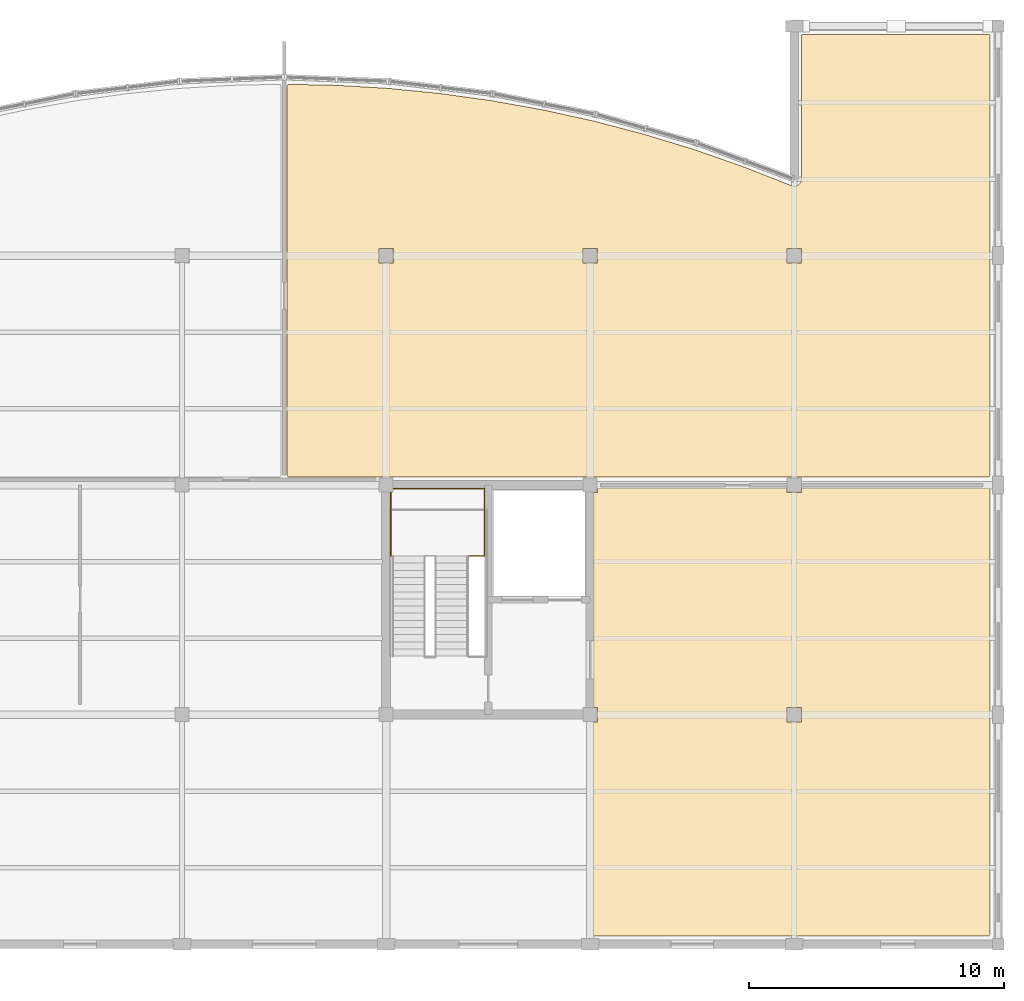
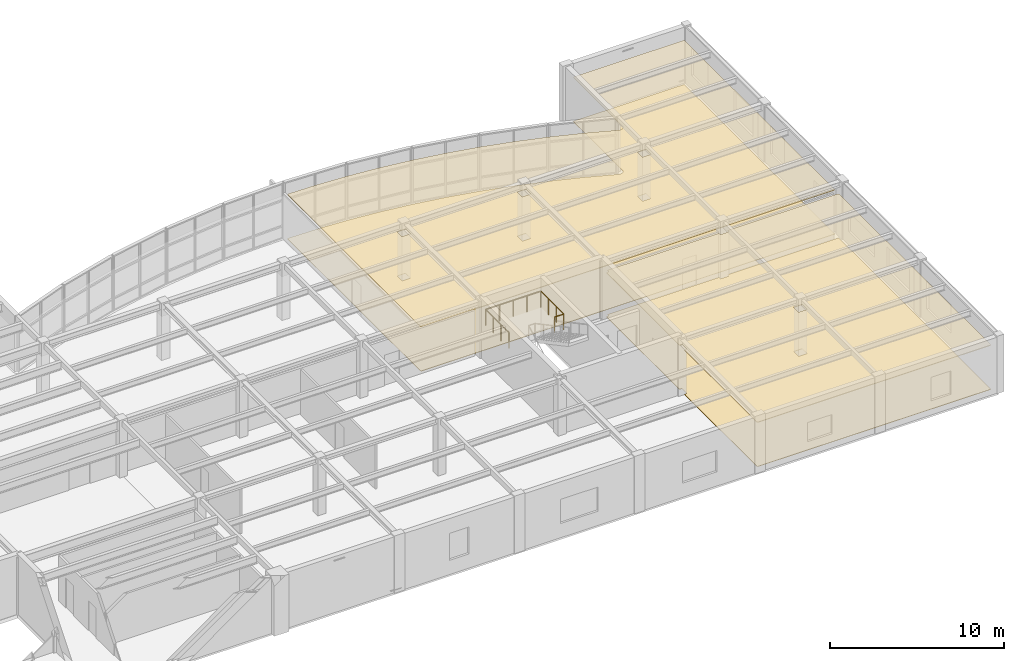
# One storey, part 12 of 12: 4 coverings, 1 railing.
"""IFC4 building model written with IfcOpenShell, lengths in metres."""

from ifc_helpers import new_model, si_unit, direction, frame, origin, origin_2d, place, context, subcontext, project, spatial, polyline, circle, outline, extrude, material, layer, layer_set, type_object, element, save


model = new_model("IFC4")

# Units and contexts
model_context = context("Model", 3, precision=1e-05, world=origin(), true_north=direction((0.0, 1.0)))
body_context = subcontext(model_context, "Body", "Model", "MODEL_VIEW")
ifc_project = project(units=[si_unit("LENGTHUNIT", "METRE"), si_unit("AREAUNIT", "SQUARE_METRE"), si_unit("VOLUMEUNIT", "CUBIC_METRE"), si_unit("PLANEANGLEUNIT", "RADIAN"), si_unit("MASSUNIT", "GRAM", prefix="KILO")], contexts=[model_context])

# Site, building, storey
site_placement = place(None, origin())
site = spatial("IfcSite", under=ifc_project, at=site_placement, CompositionType="ELEMENT")
building_placement = place(site_placement, origin())
building = spatial("IfcBuilding", under=site, at=building_placement, Name="Keelwater Ferry Terminal", CompositionType="ELEMENT")
storey_placement = place(building_placement, frame((0.0, 0.0, 19.5)))
storey = spatial("IfcBuildingStorey", under=building, at=storey_placement, Name="L04", CompositionType="ELEMENT", Elevation=19.5)

# Coverings
ifc_material_1 = material(Name="Perforated acoustic gypsum board ceiling", Category="gypsum")
ifc_layer_1 = layer(ifc_material_1, 0.044921875)
ifc_layer_set_1 = layer_set([ifc_layer_1], Name="Perforated acoustic gypsum board ceiling")
covering_type_1 = type_object("IfcCoveringType", Name="CL-AC Acoustic Baffle Ceiling", PredefinedType="CEILING", material=ifc_layer_set_1)
covering_1_placement = place(storey_placement, frame((0.0, 0.0, 3.10009765625)))
element("IfcCovering", 1, at=covering_1_placement, inside=storey, type_object=covering_type_1, Name="Port Security Control Suite Acoustic Ceiling", PredefinedType="CEILING", context=body_context, shape_type="SweptSolid", body=[
    extrude(outline(polyline([(156.0791015625, 123.55908203125), (156.08203125, 123.55908203125), (158.10888671875, 123.35791015625), (158.112060546875, 123.35693359375), (160.132080078125, 123.075927734375), (160.135009765625, 123.075927734375), (162.10888671875, 122.720947265625), (162.14208984375, 122.716064453125), (162.14404296875, 122.715087890625), (162.263916015625, 122.68896484375), (164.136962890625, 122.27587890625), (166.112060546875, 121.758056640625), (168.06494140625, 121.162109375), (168.804931640625, 120.904052734375), (169.990966796875, 120.489990234375), (169.993896484375, 120.488037109375), (171.89208984375, 119.741943359375), (171.89208984375, 119.740966796875), (171.89697265625, 119.739013671875), (171.923095703125, 119.73095703125), (171.949951171875, 119.72509765625), (171.97705078125, 119.720947265625), (172.00390625, 119.719970703125), (172.031005859375, 119.721923828125), (172.05810546875, 119.72607421875), (172.083984375, 119.73291015625), (172.110107421875, 119.741943359375), (172.134033203125, 119.75390625), (172.156005859375, 119.76806640625), (172.157958984375, 119.76904296875), (172.158935546875, 119.77001953125), (172.178955078125, 119.784912109375), (172.198974609375, 119.802978515625), (172.218017578125, 119.823974609375), (172.23388671875, 119.845947265625), (172.248046875, 119.868896484375), (172.259033203125, 119.89404296875), (172.26806640625, 119.9189453125), (172.27490234375, 119.946044921875), (172.279052734375, 119.972900390625), (172.280029296875, 120.0), (172.280029296875, 125.60009765625), (172.280029296875, 125.60009765625), (172.280029296875, 125.60791015625), (172.281982421875, 125.615966796875), (172.282958984375, 125.623046875), (172.285888671875, 125.631103515625), (172.2890625, 125.637939453125), (172.29296875, 125.64404296875), (172.298095703125, 125.65087890625), (172.302978515625, 125.656982421875), (172.30908203125, 125.662109375), (172.31591796875, 125.6669921875), (172.322021484375, 125.6708984375), (172.3291015625, 125.674072265625), (172.3369140625, 125.677001953125), (172.343994140625, 125.677978515625), (172.35205078125, 125.679931640625), (172.360107421875, 125.679931640625), (179.60009765625, 125.679931640625), (179.60791015625, 125.679931640625), (179.615966796875, 125.677978515625), (179.623046875, 125.677001953125), (179.631103515625, 125.674072265625), (179.637939453125, 125.6708984375), (179.64404296875, 125.6669921875), (179.65087890625, 125.662109375), (179.656982421875, 125.656982421875), (179.662109375, 125.65087890625), (179.6669921875, 125.64404296875), (179.6708984375, 125.637939453125), (179.674072265625, 125.631103515625), (179.677001953125, 125.623046875), (179.677978515625, 125.615966796875), (179.679931640625, 125.60791015625), (179.679931640625, 125.60009765625), (179.679931640625, 108.39990234375), (179.679931640625, 108.39208984375), (179.677978515625, 108.384033203125), (179.677001953125, 108.376953125), (179.674072265625, 108.368896484375), (179.6708984375, 108.362060546875), (179.6669921875, 108.35595703125), (179.662109375, 108.34912109375), (179.656982421875, 108.343017578125), (179.65087890625, 108.337890625), (179.64404296875, 108.3330078125), (179.637939453125, 108.3291015625), (179.631103515625, 108.325927734375), (179.623046875, 108.322998046875), (179.615966796875, 108.322021484375), (179.60791015625, 108.320068359375), (179.60009765625, 108.320068359375), (152.199951171875, 108.320068359375), (152.19189453125, 108.320068359375), (152.18408203125, 108.322021484375), (152.177001953125, 108.322998046875), (152.1689453125, 108.325927734375), (152.162109375, 108.3291015625), (152.156005859375, 108.3330078125), (152.14892578125, 108.337890625), (152.14306640625, 108.343017578125), (152.137939453125, 108.34912109375), (152.133056640625, 108.35595703125), (152.12890625, 108.362060546875), (152.1259765625, 108.368896484375), (152.123046875, 108.376953125), (152.1220703125, 108.384033203125), (152.1201171875, 108.39208984375), (152.1201171875, 108.39990234375), (152.1201171875, 123.635986328125), (152.1201171875, 123.64404296875), (152.1220703125, 123.652099609375), (152.1240234375, 123.659912109375), (152.1259765625, 123.6669921875), (152.1298828125, 123.674072265625), (152.134033203125, 123.680908203125), (152.138916015625, 123.68701171875), (152.14404296875, 123.693115234375), (152.14990234375, 123.697998046875), (152.156005859375, 123.702880859375), (152.1630859375, 123.70703125), (152.1708984375, 123.7099609375), (152.177978515625, 123.712890625), (152.18603515625, 123.715087890625), (152.194091796875, 123.716064453125), (152.199951171875, 123.716064453125), (152.654052734375, 123.70703125), (154.0400390625, 123.678955078125), (154.04296875, 123.678955078125), (156.0791015625, 123.55908203125)]), holes=[polyline([(156.284912109375, 116.715087890625), (156.284912109375, 117.284912109375), (155.715087890625, 117.284912109375), (155.715087890625, 116.715087890625), (156.284912109375, 116.715087890625)]), polyline([(163.715087890625, 116.715087890625), (164.284912109375, 116.715087890625), (164.284912109375, 117.284912109375), (163.715087890625, 117.284912109375), (163.715087890625, 116.715087890625)]), polyline([(171.715087890625, 116.715087890625), (172.284912109375, 116.715087890625), (172.284912109375, 117.284912109375), (171.715087890625, 117.284912109375), (171.715087890625, 116.715087890625)])]), origin(), (0.0, 0.0, 1.0), 0.044921875),
])
covering_2_placement = place(storey_placement, frame((0.0, 0.0, 3.10009765625)))
element("IfcCovering", 2, at=covering_2_placement, inside=storey, type_object=covering_type_1, Name="Rotterdam Pilotage Coordination Office Acoustic Ceiling", PredefinedType="CEILING", context=body_context, shape_type="SweptSolid", body=[
    extrude(outline(polyline([(171.715087890625, 107.87890625), (171.715087890625, 107.715087890625), (172.284912109375, 107.715087890625), (172.284912109375, 107.87890625), (172.287109375, 107.8798828125), (172.294921875, 107.8798828125), (179.60009765625, 107.8798828125), (179.60791015625, 107.8798828125), (179.615966796875, 107.8779296875), (179.623046875, 107.876953125), (179.631103515625, 107.8740234375), (179.637939453125, 107.87109375), (179.64404296875, 107.866943359375), (179.65087890625, 107.862060546875), (179.656982421875, 107.85693359375), (179.662109375, 107.85107421875), (179.6669921875, 107.843994140625), (179.6708984375, 107.837890625), (179.674072265625, 107.8310546875), (179.677001953125, 107.822998046875), (179.677978515625, 107.81591796875), (179.679931640625, 107.80810546875), (179.679931640625, 107.800048828125), (179.679931640625, 90.39990234375), (179.679931640625, 90.39208984375), (179.677978515625, 90.384033203125), (179.677001953125, 90.376953125), (179.674072265625, 90.368896484375), (179.6708984375, 90.362060546875), (179.6669921875, 90.35595703125), (179.662109375, 90.34912109375), (179.656982421875, 90.343017578125), (179.65087890625, 90.337890625), (179.64404296875, 90.3330078125), (179.637939453125, 90.3291015625), (179.631103515625, 90.325927734375), (179.623046875, 90.322998046875), (179.615966796875, 90.322021484375), (179.60791015625, 90.320068359375), (179.60009765625, 90.320068359375), (164.199951171875, 90.320068359375), (164.19189453125, 90.320068359375), (164.18408203125, 90.322021484375), (164.177001953125, 90.322998046875), (164.1689453125, 90.325927734375), (164.162109375, 90.3291015625), (164.156005859375, 90.3330078125), (164.14892578125, 90.337890625), (164.14306640625, 90.343017578125), (164.137939453125, 90.34912109375), (164.133056640625, 90.35595703125), (164.12890625, 90.362060546875), (164.1259765625, 90.368896484375), (164.123046875, 90.376953125), (164.1220703125, 90.384033203125), (164.1201171875, 90.39208984375), (164.1201171875, 90.39990234375), (164.1201171875, 98.705078125), (164.1201171875, 98.712890625), (164.12109375, 98.715087890625), (164.284912109375, 98.715087890625), (164.284912109375, 99.284912109375), (164.12109375, 99.284912109375), (164.1201171875, 99.287109375), (164.1201171875, 99.294921875), (164.1201171875, 107.705078125), (164.1201171875, 107.712890625), (164.12109375, 107.715087890625), (164.284912109375, 107.715087890625), (164.284912109375, 107.87890625), (164.287109375, 107.8798828125), (164.294921875, 107.8798828125), (171.705078125, 107.8798828125), (171.712890625, 107.8798828125), (171.715087890625, 107.87890625)]), holes=[polyline([(172.284912109375, 98.715087890625), (172.284912109375, 99.284912109375), (171.715087890625, 99.284912109375), (171.715087890625, 98.715087890625), (172.284912109375, 98.715087890625)])]), origin(), (0.0, 0.0, 1.0), 0.044921875),
])
ifc_material_2 = material(Name="Polished mineral terrazzo tile", Category="stone")
ifc_layer_2 = layer(ifc_material_2, 0.030029296875)
ifc_layer_set_2 = layer_set([ifc_layer_2], Name="Polished mineral terrazzo tile")
covering_type_2 = type_object("IfcCoveringType", Name="FL-TZ Marine Terrazzo Flooring", PredefinedType="FLOORING", material=ifc_layer_set_2)
covering_3_placement = place(storey_placement, origin())
element("IfcCovering", 3, at=covering_3_placement, inside=storey, type_object=covering_type_2, Name="Port Security Control Suite Terrazzo Floor", PredefinedType="FLOORING", context=body_context, shape_type="SweptSolid", body=[
    extrude(outline(polyline([(156.0791015625, 123.55908203125), (156.08203125, 123.55908203125), (158.10888671875, 123.35791015625), (158.112060546875, 123.35693359375), (160.132080078125, 123.075927734375), (160.135009765625, 123.075927734375), (162.10888671875, 122.720947265625), (162.14208984375, 122.716064453125), (162.14404296875, 122.715087890625), (162.263916015625, 122.68896484375), (164.136962890625, 122.27587890625), (166.112060546875, 121.758056640625), (168.06494140625, 121.162109375), (168.804931640625, 120.904052734375), (169.990966796875, 120.489990234375), (169.993896484375, 120.488037109375), (171.89208984375, 119.741943359375), (171.89208984375, 119.740966796875), (171.89697265625, 119.739013671875), (171.923095703125, 119.73095703125), (171.949951171875, 119.72509765625), (171.97705078125, 119.720947265625), (172.00390625, 119.719970703125), (172.031005859375, 119.721923828125), (172.05810546875, 119.72607421875), (172.083984375, 119.73291015625), (172.110107421875, 119.741943359375), (172.134033203125, 119.75390625), (172.156005859375, 119.76806640625), (172.157958984375, 119.76904296875), (172.158935546875, 119.77001953125), (172.178955078125, 119.784912109375), (172.198974609375, 119.802978515625), (172.218017578125, 119.823974609375), (172.23388671875, 119.845947265625), (172.248046875, 119.868896484375), (172.259033203125, 119.89404296875), (172.26806640625, 119.9189453125), (172.27490234375, 119.946044921875), (172.279052734375, 119.972900390625), (172.280029296875, 120.0), (172.280029296875, 125.60009765625), (172.280029296875, 125.60009765625), (172.280029296875, 125.60791015625), (172.281982421875, 125.615966796875), (172.282958984375, 125.623046875), (172.285888671875, 125.631103515625), (172.2890625, 125.637939453125), (172.29296875, 125.64404296875), (172.298095703125, 125.65087890625), (172.302978515625, 125.656982421875), (172.30908203125, 125.662109375), (172.31591796875, 125.6669921875), (172.322021484375, 125.6708984375), (172.3291015625, 125.674072265625), (172.3369140625, 125.677001953125), (172.343994140625, 125.677978515625), (172.35205078125, 125.679931640625), (172.360107421875, 125.679931640625), (179.60009765625, 125.679931640625), (179.60791015625, 125.679931640625), (179.615966796875, 125.677978515625), (179.623046875, 125.677001953125), (179.631103515625, 125.674072265625), (179.637939453125, 125.6708984375), (179.64404296875, 125.6669921875), (179.65087890625, 125.662109375), (179.656982421875, 125.656982421875), (179.662109375, 125.65087890625), (179.6669921875, 125.64404296875), (179.6708984375, 125.637939453125), (179.674072265625, 125.631103515625), (179.677001953125, 125.623046875), (179.677978515625, 125.615966796875), (179.679931640625, 125.60791015625), (179.679931640625, 125.60009765625), (179.679931640625, 108.39990234375), (179.679931640625, 108.39208984375), (179.677978515625, 108.384033203125), (179.677001953125, 108.376953125), (179.674072265625, 108.368896484375), (179.6708984375, 108.362060546875), (179.6669921875, 108.35595703125), (179.662109375, 108.34912109375), (179.656982421875, 108.343017578125), (179.65087890625, 108.337890625), (179.64404296875, 108.3330078125), (179.637939453125, 108.3291015625), (179.631103515625, 108.325927734375), (179.623046875, 108.322998046875), (179.615966796875, 108.322021484375), (179.60791015625, 108.320068359375), (179.60009765625, 108.320068359375), (152.199951171875, 108.320068359375), (152.19189453125, 108.320068359375), (152.18408203125, 108.322021484375), (152.177001953125, 108.322998046875), (152.1689453125, 108.325927734375), (152.162109375, 108.3291015625), (152.156005859375, 108.3330078125), (152.14892578125, 108.337890625), (152.14306640625, 108.343017578125), (152.137939453125, 108.34912109375), (152.133056640625, 108.35595703125), (152.12890625, 108.362060546875), (152.1259765625, 108.368896484375), (152.123046875, 108.376953125), (152.1220703125, 108.384033203125), (152.1201171875, 108.39208984375), (152.1201171875, 108.39990234375), (152.1201171875, 123.635986328125), (152.1201171875, 123.64404296875), (152.1220703125, 123.652099609375), (152.1240234375, 123.659912109375), (152.1259765625, 123.6669921875), (152.1298828125, 123.674072265625), (152.134033203125, 123.680908203125), (152.138916015625, 123.68701171875), (152.14404296875, 123.693115234375), (152.14990234375, 123.697998046875), (152.156005859375, 123.702880859375), (152.1630859375, 123.70703125), (152.1708984375, 123.7099609375), (152.177978515625, 123.712890625), (152.18603515625, 123.715087890625), (152.194091796875, 123.716064453125), (152.199951171875, 123.716064453125), (152.654052734375, 123.70703125), (154.0400390625, 123.678955078125), (154.04296875, 123.678955078125), (156.0791015625, 123.55908203125)]), holes=[polyline([(156.284912109375, 116.715087890625), (156.284912109375, 117.284912109375), (155.715087890625, 117.284912109375), (155.715087890625, 116.715087890625), (156.284912109375, 116.715087890625)]), polyline([(163.715087890625, 116.715087890625), (164.284912109375, 116.715087890625), (164.284912109375, 117.284912109375), (163.715087890625, 117.284912109375), (163.715087890625, 116.715087890625)]), polyline([(171.715087890625, 116.715087890625), (172.284912109375, 116.715087890625), (172.284912109375, 117.284912109375), (171.715087890625, 117.284912109375), (171.715087890625, 116.715087890625)])]), origin(), (0.0, 0.0, 1.0), 0.030029296875),
])
covering_4_placement = place(storey_placement, origin())
element("IfcCovering", 4, at=covering_4_placement, inside=storey, type_object=covering_type_2, Name="Rotterdam Pilotage Coordination Office Terrazzo Floor", PredefinedType="FLOORING", context=body_context, shape_type="SweptSolid", body=[
    extrude(outline(polyline([(171.715087890625, 107.87890625), (171.715087890625, 107.715087890625), (172.284912109375, 107.715087890625), (172.284912109375, 107.87890625), (172.287109375, 107.8798828125), (172.294921875, 107.8798828125), (179.60009765625, 107.8798828125), (179.60791015625, 107.8798828125), (179.615966796875, 107.8779296875), (179.623046875, 107.876953125), (179.631103515625, 107.8740234375), (179.637939453125, 107.87109375), (179.64404296875, 107.866943359375), (179.65087890625, 107.862060546875), (179.656982421875, 107.85693359375), (179.662109375, 107.85107421875), (179.6669921875, 107.843994140625), (179.6708984375, 107.837890625), (179.674072265625, 107.8310546875), (179.677001953125, 107.822998046875), (179.677978515625, 107.81591796875), (179.679931640625, 107.80810546875), (179.679931640625, 107.800048828125), (179.679931640625, 90.39990234375), (179.679931640625, 90.39208984375), (179.677978515625, 90.384033203125), (179.677001953125, 90.376953125), (179.674072265625, 90.368896484375), (179.6708984375, 90.362060546875), (179.6669921875, 90.35595703125), (179.662109375, 90.34912109375), (179.656982421875, 90.343017578125), (179.65087890625, 90.337890625), (179.64404296875, 90.3330078125), (179.637939453125, 90.3291015625), (179.631103515625, 90.325927734375), (179.623046875, 90.322998046875), (179.615966796875, 90.322021484375), (179.60791015625, 90.320068359375), (179.60009765625, 90.320068359375), (164.199951171875, 90.320068359375), (164.19189453125, 90.320068359375), (164.18408203125, 90.322021484375), (164.177001953125, 90.322998046875), (164.1689453125, 90.325927734375), (164.162109375, 90.3291015625), (164.156005859375, 90.3330078125), (164.14892578125, 90.337890625), (164.14306640625, 90.343017578125), (164.137939453125, 90.34912109375), (164.133056640625, 90.35595703125), (164.12890625, 90.362060546875), (164.1259765625, 90.368896484375), (164.123046875, 90.376953125), (164.1220703125, 90.384033203125), (164.1201171875, 90.39208984375), (164.1201171875, 90.39990234375), (164.1201171875, 98.705078125), (164.1201171875, 98.712890625), (164.12109375, 98.715087890625), (164.284912109375, 98.715087890625), (164.284912109375, 99.284912109375), (164.12109375, 99.284912109375), (164.1201171875, 99.287109375), (164.1201171875, 99.294921875), (164.1201171875, 107.705078125), (164.1201171875, 107.712890625), (164.12109375, 107.715087890625), (164.284912109375, 107.715087890625), (164.284912109375, 107.87890625), (164.287109375, 107.8798828125), (164.294921875, 107.8798828125), (171.705078125, 107.8798828125), (171.712890625, 107.8798828125), (171.715087890625, 107.87890625)]), holes=[polyline([(172.284912109375, 98.715087890625), (172.284912109375, 99.284912109375), (171.715087890625, 99.284912109375), (171.715087890625, 98.715087890625), (172.284912109375, 98.715087890625)])]), origin(), (0.0, 0.0, 1.0), 0.030029296875),
])

# Railing
ifc_material_3 = material(Name="Painted Steel S355", Category="steel")
railing_type = type_object("IfcRailingType", Name="GR-115 Stair Well Guardrail", PredefinedType="GUARDRAIL", material=ifc_material_3)
railing_placement = place(storey_placement, frame((156.199951171875, 105.219970703125, 2.10009765625)))
element("IfcRailing", 5, at=railing_placement, inside=storey, type_object=railing_type, Name="Stair ST-C3-L04 Half-Landing Guard 66", PredefinedType="GUARDRAIL", context=body_context, shape_type="SweptSolid", body=[
    extrude(circle(Radius=0.02392578125, at=origin_2d()), frame((0.0, 0.0, 1.1259765625), z_axis=(-1.0, 0.0, 0.0), x_axis=(0.0, -1.0, 0.0)), (0.0, 0.0, 1.0), 0.02001953125),
    extrude(circle(Radius=0.02392578125, at=origin_2d()), frame((-0.02001953125, 0.0, 1.1259765625), z_axis=(0.0, 1.0, 0.0), x_axis=(-1.0, 0.0, 0.0)), (0.0, 0.0, 1.0), 2.650146484375),
    extrude(circle(Radius=0.02392578125, at=origin_2d()), frame((-0.02001953125, 2.650146484375, 1.1259765625), z_axis=(1.0, 0.0, 0.0), x_axis=(0.0, 1.0, 0.0)), (0.0, 0.0, 1.0), 3.670166015625),
    extrude(circle(Radius=0.02392578125, at=origin_2d()), frame((3.650146484375, 2.650146484375, 1.1259765625), z_axis=(0.0, -1.0, 0.0), x_axis=(1.0, 0.0, 0.0)), (0.0, 0.0, 1.0), 2.650146484375),
    extrude(circle(Radius=0.02392578125, at=origin_2d()), frame((3.650146484375, 0.0, 1.1259765625), z_axis=(-1.0, 0.0, 0.0), x_axis=(0.0, -1.0, 0.0)), (0.0, 0.0, 1.0), 0.610107421875),
    extrude(circle(Radius=0.02099609375, at=origin_2d()), origin(), (0.0, 0.0, 1.0), 1.101806640625),
    extrude(circle(Radius=0.02099609375, at=origin_2d()), frame((-0.02001953125, 0.0, 0.0)), (0.0, 0.0, 1.0), 1.101806640625),
    extrude(circle(Radius=0.02099609375, at=origin_2d()), frame((-0.02001953125, 0.88330078125, 0.0)), (0.0, 0.0, 1.0), 1.101806640625),
    extrude(circle(Radius=0.02099609375, at=origin_2d()), frame((-0.02001953125, 1.766845703125, 0.0)), (0.0, 0.0, 1.0), 1.101806640625),
    extrude(circle(Radius=0.02099609375, at=origin_2d()), frame((-0.02001953125, 2.650146484375, 0.0)), (0.0, 0.0, 1.0), 1.101806640625),
    extrude(circle(Radius=0.02099609375, at=origin_2d()), frame((0.8974609375, 2.650146484375, 0.0)), (0.0, 0.0, 1.0), 1.101806640625),
    extrude(circle(Radius=0.02099609375, at=origin_2d()), frame((1.81494140625, 2.650146484375, 0.0)), (0.0, 0.0, 1.0), 1.101806640625),
    extrude(circle(Radius=0.02099609375, at=origin_2d()), frame((2.732666015625, 2.650146484375, 0.0)), (0.0, 0.0, 1.0), 1.101806640625),
    extrude(circle(Radius=0.02099609375, at=origin_2d()), frame((3.650146484375, 2.650146484375, 0.0)), (0.0, 0.0, 1.0), 1.101806640625),
    extrude(circle(Radius=0.02099609375, at=origin_2d()), frame((3.650146484375, 1.766845703125, 0.0)), (0.0, 0.0, 1.0), 1.101806640625),
    extrude(circle(Radius=0.02099609375, at=origin_2d()), frame((3.650146484375, 0.88330078125, 0.0)), (0.0, 0.0, 1.0), 1.101806640625),
    extrude(circle(Radius=0.02099609375, at=origin_2d()), frame((3.650146484375, 0.0, 0.0)), (0.0, 0.0, 1.0), 1.101806640625),
    extrude(circle(Radius=0.02099609375, at=origin_2d()), frame((3.0400390625, 0.0, 0.0)), (0.0, 0.0, 1.0), 1.101806640625),
])

save(model, "model.ifc")
